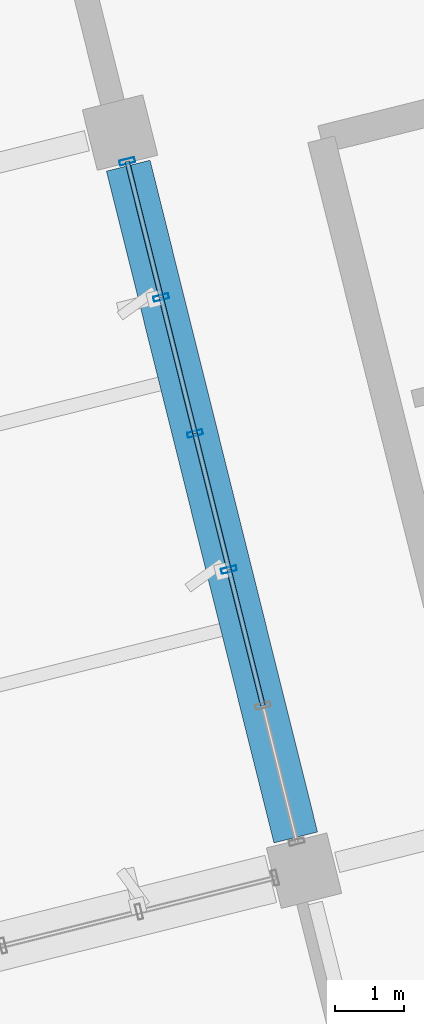
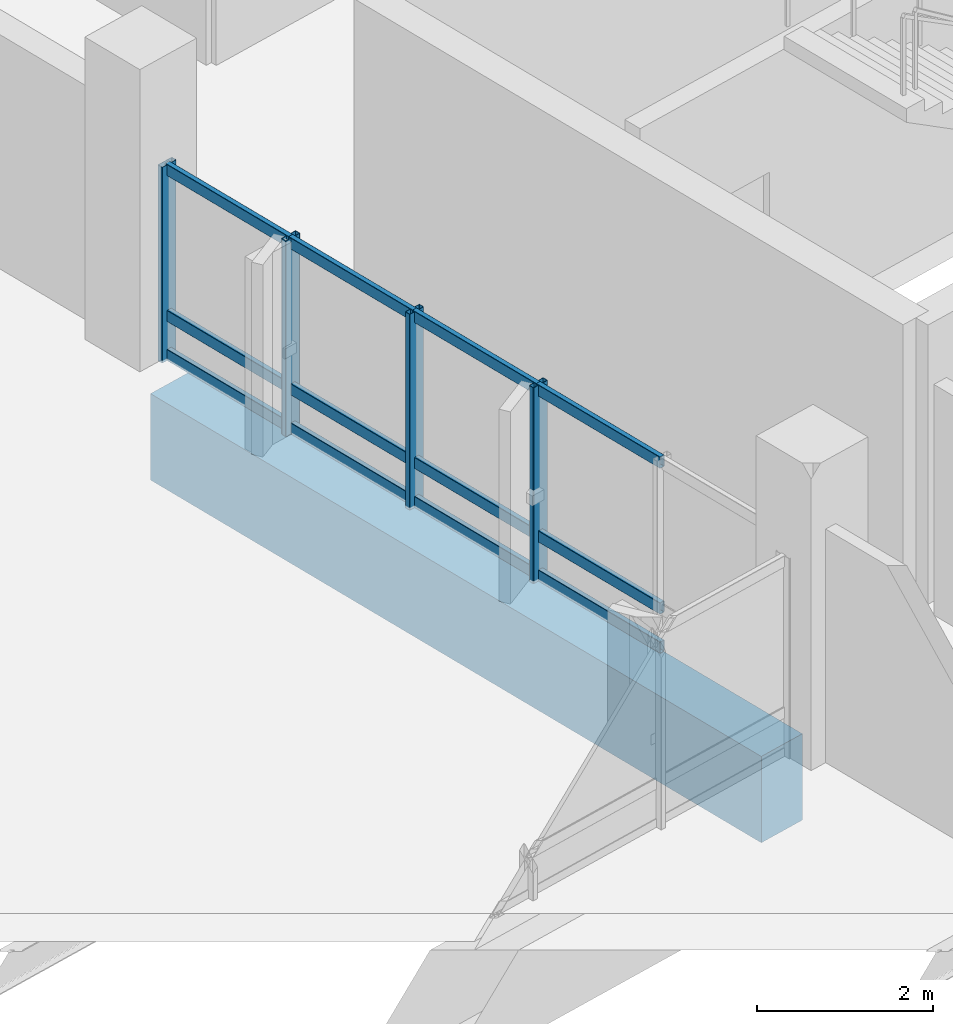
# One storey, part 17 of 42: 16 members, 1 beam, 1 element without a shape of its own.
"""IFC4 building model written with IfcOpenShell, lengths in metres."""

from ifc_helpers import new_model, si_unit, direction, frame, origin, origin_2d, place, context, subcontext, project, spatial, rectangle, hollow_rectangle, extrude, material, layer, layer_set, material_profile, profile_set, type_object, element, aggregate, save


model = new_model("IFC4")

# Units and contexts
model_context = context("Model", 3, precision=1e-05, world=origin(), true_north=direction((0.0, 1.0)))
body_context = subcontext(model_context, "Body", "Model", "MODEL_VIEW")
ifc_project = project(units=[si_unit("LENGTHUNIT", "METRE"), si_unit("AREAUNIT", "SQUARE_METRE"), si_unit("VOLUMEUNIT", "CUBIC_METRE"), si_unit("PLANEANGLEUNIT", "RADIAN"), si_unit("MASSUNIT", "GRAM", prefix="KILO")], contexts=[model_context])

# Site, building, storey
site_placement = place(None, origin())
site = spatial("IfcSite", under=ifc_project, at=site_placement, CompositionType="ELEMENT")
building_placement = place(site_placement, origin())
building = spatial("IfcBuilding", under=site, at=building_placement, Name="Khorjan Park Terminus", CompositionType="ELEMENT")
storey_placement = place(building_placement, frame((0.0, 0.0, 20.4)))
storey = spatial("IfcBuildingStorey", under=building, at=storey_placement, Name="L04", CompositionType="ELEMENT", Elevation=20.4)

# Beam
ifc_material_1 = material(Name="Concrete C40/50", Category="concrete")
ifc_material_profile_1 = material_profile(ifc_material_1, rectangle(XDim=0.65, YDim=1.2, at=origin_2d()), Name="RC 650x1200")
ifc_profile_set_1 = profile_set([ifc_material_profile_1], Name="Concrete C40/50")
beam_type = type_object("IfcBeamType", Name="BM-RC650x1200", PredefinedType="BEAM", material=ifc_profile_set_1)
beam_placement = place(storey_placement, frame((203.251, 34.4714, -0.94), z_axis=(-0.241929122643, 0.970293924343, 0.0), x_axis=(-0.970293924343, -0.241929122643, 0.0)))
element("IfcBeam", 1, at=beam_placement, inside=storey, type_object=beam_type, Name="Primary skew-grid floor girder GB-12 (L04)", PredefinedType="BEAM", context=body_context, shape_type="SweptSolid", body=[
    extrude(rectangle(XDim=0.65, YDim=1.2, at=origin_2d()), origin(), (0.0, 0.0, 1.0), 10.01),
])

# Curtain wall, members
ifc_material_2 = material(Name="Anodized Bronze Aluminium", Category="aluminium")
ifc_layer = layer(ifc_material_2, 0.22)
ifc_layer_set = layer_set([ifc_layer], Name="Anodized Bronze Aluminium")
curtain_wall_type = type_object("IfcCurtainWallType", Name="CW-OPS-B", PredefinedType="NOTDEFINED", material=ifc_layer_set)
curtain_wall_placement = place(storey_placement, origin())
curtain_wall = element("IfcCurtainWall", 2, at=curtain_wall_placement, inside=storey, type_object=curtain_wall_type, Name="Unitized curtain wall CW-B (CW-V5-NW1-L04-B03)", PredefinedType="NOTDEFINED")
ifc_material_profile_2 = material_profile(ifc_material_2, hollow_rectangle(XDim=0.075, YDim=0.225, WallThickness=0.005, InnerFilletRadius=0.005, OuterFilletRadius=0.01, at=origin_2d()), Name="ALM 75x225x5")
ifc_profile_set_2 = profile_set([ifc_material_profile_2], Name="Anodized Bronze Aluminium")
member_type_1 = type_object("IfcMemberType", Name="ML-ALM-225", PredefinedType="MULLION", material=ifc_profile_set_2)
member_1_placement = place(storey_placement, frame((200.8137, 44.2467, -0.035), z_axis=(0.0, 0.0, 1.0), x_axis=(0.241920636916, -0.9702960401, 0.0)))
member_1 = element("IfcMember", 3, at=member_1_placement, type_object=member_type_1, Name="Curtain-wall mullion ML-22 (CW-V5-NW1-L04-B03-0)", PredefinedType="MULLION", context=body_context, shape_type="SweptSolid", body=[
    extrude(hollow_rectangle(XDim=0.075, YDim=0.225, WallThickness=0.005, InnerFilletRadius=0.005, OuterFilletRadius=0.01, at=origin_2d()), origin(), (0.0, 0.0, 1.0), 2.72),
])
member_2_placement = place(storey_placement, frame((201.3043, 42.279, -0.035), z_axis=(0.0, 0.0, 1.0), x_axis=(0.241920636916, -0.9702960401, 0.0)))
member_2 = element("IfcMember", 4, at=member_2_placement, type_object=member_type_1, Name="Curtain-wall mullion ML-22 (CW-V5-NW1-L04-B03-1)", PredefinedType="MULLION", context=body_context, shape_type="SweptSolid", body=[
    extrude(hollow_rectangle(XDim=0.075, YDim=0.225, WallThickness=0.005, InnerFilletRadius=0.005, OuterFilletRadius=0.01, at=origin_2d()), origin(), (0.0, 0.0, 1.0), 2.72),
])
member_3_placement = place(storey_placement, frame((201.7949, 40.3113, -0.035), z_axis=(0.0, 0.0, 1.0), x_axis=(0.241920636916, -0.9702960401, 0.0)))
member_3 = element("IfcMember", 5, at=member_3_placement, type_object=member_type_1, Name="Curtain-wall mullion ML-22 (CW-V5-NW1-L04-B03-2)", PredefinedType="MULLION", context=body_context, shape_type="SweptSolid", body=[
    extrude(hollow_rectangle(XDim=0.075, YDim=0.225, WallThickness=0.005, InnerFilletRadius=0.005, OuterFilletRadius=0.01, at=origin_2d()), origin(), (0.0, 0.0, 1.0), 2.72),
])
member_4_placement = place(storey_placement, frame((202.2855, 38.3436, -0.035), z_axis=(0.0, 0.0, 1.0), x_axis=(0.241920636916, -0.9702960401, 0.0)))
member_4 = element("IfcMember", 6, at=member_4_placement, type_object=member_type_1, Name="Curtain-wall mullion ML-22 (CW-V5-NW1-L04-B03-3)", PredefinedType="MULLION", context=body_context, shape_type="SweptSolid", body=[
    extrude(hollow_rectangle(XDim=0.075, YDim=0.225, WallThickness=0.005, InnerFilletRadius=0.005, OuterFilletRadius=0.01, at=origin_2d()), origin(), (0.0, 0.0, 1.0), 2.72),
])
ifc_material_profile_3 = material_profile(ifc_material_2, hollow_rectangle(XDim=0.07, YDim=0.16, WallThickness=0.004, InnerFilletRadius=0.004, OuterFilletRadius=0.008, at=origin_2d()), Name="ALT 70x160x4")
ifc_profile_set_3 = profile_set([ifc_material_profile_3], Name="Anodized Bronze Aluminium")
member_type_2 = type_object("IfcMemberType", Name="TR-ALT-160", PredefinedType="USERDEFINED", material=ifc_profile_set_3)
member_5_placement = place(storey_placement, frame((200.8137, 44.2467, 0.04), z_axis=(0.241920636922, -0.970296040099, 0.0), x_axis=(0.970296040099, 0.241920636922, 0.0)))
member_5 = element("IfcMember", 7, at=member_5_placement, type_object=member_type_2, Name="Curtain-wall transom TR-16 (CW-V5-NW1-L04-B03-0-1)", ObjectType="TRANSOM", PredefinedType="USERDEFINED", context=body_context, shape_type="SweptSolid", body=[
    extrude(hollow_rectangle(XDim=0.07, YDim=0.16, WallThickness=0.004, InnerFilletRadius=0.004, OuterFilletRadius=0.008, at=origin_2d()), origin(), (0.0, 0.0, 1.0), 2.0279),
])
member_6_placement = place(storey_placement, frame((200.8137, 44.2467, 0.583), z_axis=(0.241920636922, -0.970296040099, 0.0), x_axis=(0.970296040099, 0.241920636922, 0.0)))
member_6 = element("IfcMember", 8, at=member_6_placement, type_object=member_type_2, Name="Curtain-wall transom TR-16 (CW-V5-NW1-L04-B03-0-2)", ObjectType="TRANSOM", PredefinedType="USERDEFINED", context=body_context, shape_type="SweptSolid", body=[
    extrude(hollow_rectangle(XDim=0.07, YDim=0.16, WallThickness=0.004, InnerFilletRadius=0.004, OuterFilletRadius=0.008, at=origin_2d()), origin(), (0.0, 0.0, 1.0), 2.0279),
])
member_7_placement = place(storey_placement, frame((200.8137, 44.2467, 2.61), z_axis=(0.241920636922, -0.970296040099, 0.0), x_axis=(0.970296040099, 0.241920636922, 0.0)))
member_7 = element("IfcMember", 9, at=member_7_placement, type_object=member_type_2, Name="Curtain-wall transom TR-16 (CW-V5-NW1-L04-B03-0-3)", ObjectType="TRANSOM", PredefinedType="USERDEFINED", context=body_context, shape_type="SweptSolid", body=[
    extrude(hollow_rectangle(XDim=0.07, YDim=0.16, WallThickness=0.004, InnerFilletRadius=0.004, OuterFilletRadius=0.008, at=origin_2d()), origin(), (0.0, 0.0, 1.0), 2.0279),
])
member_8_placement = place(storey_placement, frame((201.3043, 42.279, 0.04), z_axis=(0.241920636922, -0.970296040099, 0.0), x_axis=(0.970296040099, 0.241920636922, 0.0)))
member_8 = element("IfcMember", 10, at=member_8_placement, type_object=member_type_2, Name="Curtain-wall transom TR-16 (CW-V5-NW1-L04-B03-1-1)", ObjectType="TRANSOM", PredefinedType="USERDEFINED", context=body_context, shape_type="SweptSolid", body=[
    extrude(hollow_rectangle(XDim=0.07, YDim=0.16, WallThickness=0.004, InnerFilletRadius=0.004, OuterFilletRadius=0.008, at=origin_2d()), origin(), (0.0, 0.0, 1.0), 2.0279),
])
member_9_placement = place(storey_placement, frame((201.3043, 42.279, 0.583), z_axis=(0.241920636922, -0.970296040099, 0.0), x_axis=(0.970296040099, 0.241920636922, 0.0)))
member_9 = element("IfcMember", 11, at=member_9_placement, type_object=member_type_2, Name="Curtain-wall transom TR-16 (CW-V5-NW1-L04-B03-1-2)", ObjectType="TRANSOM", PredefinedType="USERDEFINED", context=body_context, shape_type="SweptSolid", body=[
    extrude(hollow_rectangle(XDim=0.07, YDim=0.16, WallThickness=0.004, InnerFilletRadius=0.004, OuterFilletRadius=0.008, at=origin_2d()), origin(), (0.0, 0.0, 1.0), 2.0279),
])
member_10_placement = place(storey_placement, frame((201.3043, 42.279, 2.61), z_axis=(0.241920636922, -0.970296040099, 0.0), x_axis=(0.970296040099, 0.241920636922, 0.0)))
member_10 = element("IfcMember", 12, at=member_10_placement, type_object=member_type_2, Name="Curtain-wall transom TR-16 (CW-V5-NW1-L04-B03-1-3)", ObjectType="TRANSOM", PredefinedType="USERDEFINED", context=body_context, shape_type="SweptSolid", body=[
    extrude(hollow_rectangle(XDim=0.07, YDim=0.16, WallThickness=0.004, InnerFilletRadius=0.004, OuterFilletRadius=0.008, at=origin_2d()), origin(), (0.0, 0.0, 1.0), 2.0279),
])
member_11_placement = place(storey_placement, frame((201.7949, 40.3113, 0.04), z_axis=(0.241920636922, -0.970296040099, 0.0), x_axis=(0.970296040099, 0.241920636922, 0.0)))
member_11 = element("IfcMember", 13, at=member_11_placement, type_object=member_type_2, Name="Curtain-wall transom TR-16 (CW-V5-NW1-L04-B03-2-1)", ObjectType="TRANSOM", PredefinedType="USERDEFINED", context=body_context, shape_type="SweptSolid", body=[
    extrude(hollow_rectangle(XDim=0.07, YDim=0.16, WallThickness=0.004, InnerFilletRadius=0.004, OuterFilletRadius=0.008, at=origin_2d()), origin(), (0.0, 0.0, 1.0), 2.0279),
])
member_12_placement = place(storey_placement, frame((201.7949, 40.3113, 0.583), z_axis=(0.241920636922, -0.970296040099, 0.0), x_axis=(0.970296040099, 0.241920636922, 0.0)))
member_12 = element("IfcMember", 14, at=member_12_placement, type_object=member_type_2, Name="Curtain-wall transom TR-16 (CW-V5-NW1-L04-B03-2-2)", ObjectType="TRANSOM", PredefinedType="USERDEFINED", context=body_context, shape_type="SweptSolid", body=[
    extrude(hollow_rectangle(XDim=0.07, YDim=0.16, WallThickness=0.004, InnerFilletRadius=0.004, OuterFilletRadius=0.008, at=origin_2d()), origin(), (0.0, 0.0, 1.0), 2.0279),
])
member_13_placement = place(storey_placement, frame((201.7949, 40.3113, 2.61), z_axis=(0.241920636922, -0.970296040099, 0.0), x_axis=(0.970296040099, 0.241920636922, 0.0)))
member_13 = element("IfcMember", 15, at=member_13_placement, type_object=member_type_2, Name="Curtain-wall transom TR-16 (CW-V5-NW1-L04-B03-2-3)", ObjectType="TRANSOM", PredefinedType="USERDEFINED", context=body_context, shape_type="SweptSolid", body=[
    extrude(hollow_rectangle(XDim=0.07, YDim=0.16, WallThickness=0.004, InnerFilletRadius=0.004, OuterFilletRadius=0.008, at=origin_2d()), origin(), (0.0, 0.0, 1.0), 2.0279),
])
member_14_placement = place(storey_placement, frame((202.2855, 38.3436, 0.04), z_axis=(0.241920636922, -0.970296040099, 0.0), x_axis=(0.970296040099, 0.241920636922, 0.0)))
member_14 = element("IfcMember", 16, at=member_14_placement, type_object=member_type_2, Name="Curtain-wall transom TR-16 (CW-V5-NW1-L04-B03-3-1)", ObjectType="TRANSOM", PredefinedType="USERDEFINED", context=body_context, shape_type="SweptSolid", body=[
    extrude(hollow_rectangle(XDim=0.07, YDim=0.16, WallThickness=0.004, InnerFilletRadius=0.004, OuterFilletRadius=0.008, at=origin_2d()), origin(), (0.0, 0.0, 1.0), 2.0279),
])
member_15_placement = place(storey_placement, frame((202.2855, 38.3436, 0.583), z_axis=(0.241920636922, -0.970296040099, 0.0), x_axis=(0.970296040099, 0.241920636922, 0.0)))
member_15 = element("IfcMember", 17, at=member_15_placement, type_object=member_type_2, Name="Curtain-wall transom TR-16 (CW-V5-NW1-L04-B03-3-2)", ObjectType="TRANSOM", PredefinedType="USERDEFINED", context=body_context, shape_type="SweptSolid", body=[
    extrude(hollow_rectangle(XDim=0.07, YDim=0.16, WallThickness=0.004, InnerFilletRadius=0.004, OuterFilletRadius=0.008, at=origin_2d()), origin(), (0.0, 0.0, 1.0), 2.0279),
])
member_16_placement = place(storey_placement, frame((202.2855, 38.3436, 2.61), z_axis=(0.241920636922, -0.970296040099, 0.0), x_axis=(0.970296040099, 0.241920636922, 0.0)))
member_16 = element("IfcMember", 18, at=member_16_placement, type_object=member_type_2, Name="Curtain-wall transom TR-16 (CW-V5-NW1-L04-B03-3-3)", ObjectType="TRANSOM", PredefinedType="USERDEFINED", context=body_context, shape_type="SweptSolid", body=[
    extrude(hollow_rectangle(XDim=0.07, YDim=0.16, WallThickness=0.004, InnerFilletRadius=0.004, OuterFilletRadius=0.008, at=origin_2d()), origin(), (0.0, 0.0, 1.0), 2.0279),
])
aggregate(curtain_wall, [member_1, member_2, member_3, member_4, member_5, member_6, member_7, member_8, member_9, member_10, member_11, member_12, member_13, member_14, member_15, member_16])

save(model, "model.ifc")
